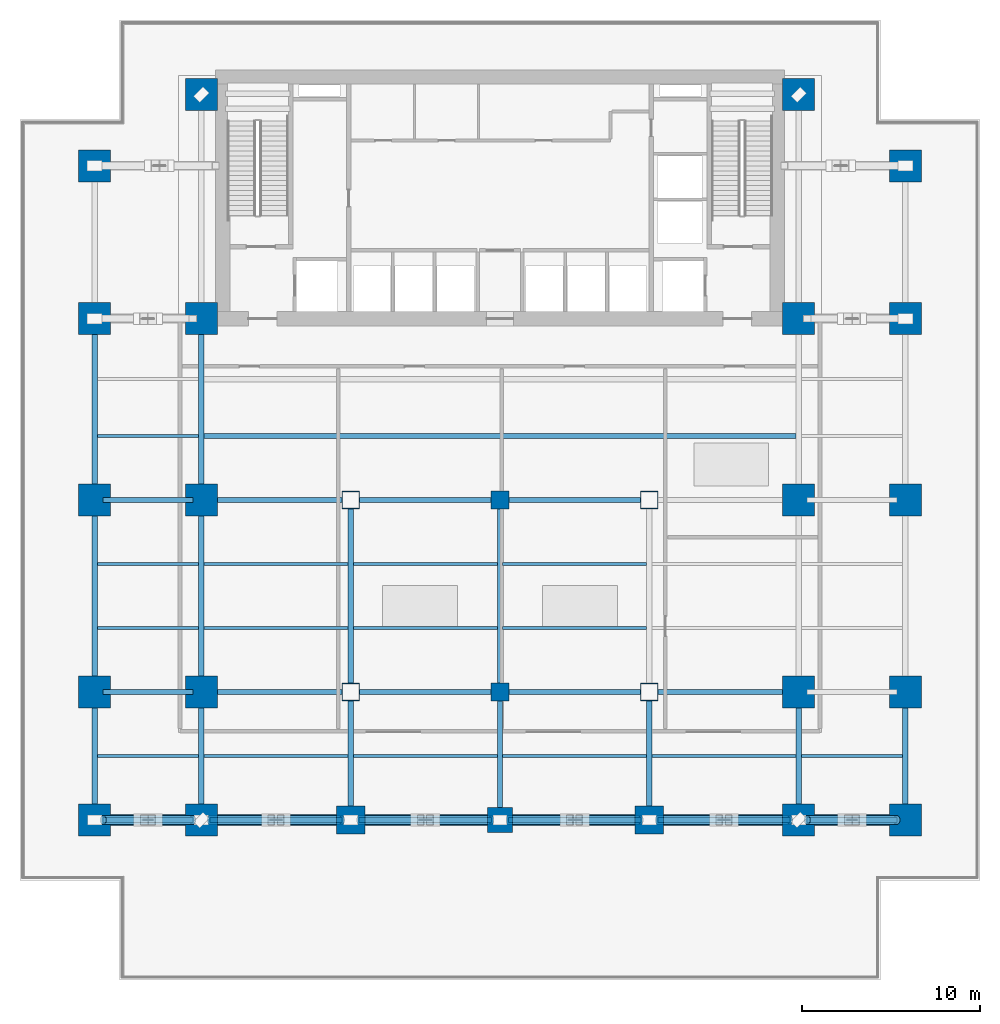
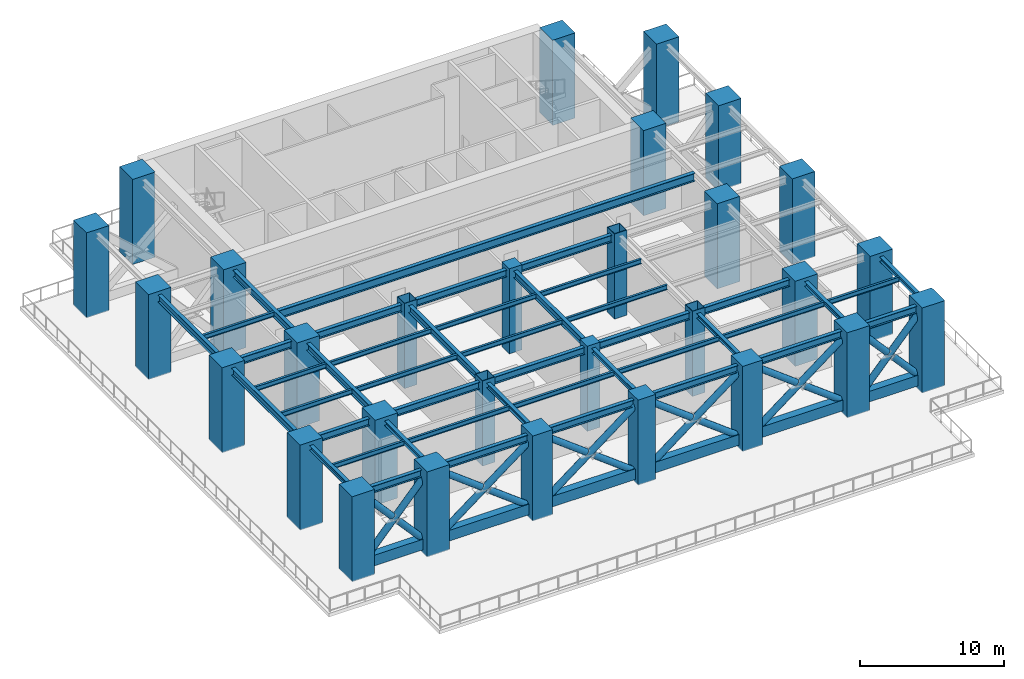
# One storey, part 1 of 10: 50 beams, 29 columns, 18 members.
"""IFC4 building model written with IfcOpenShell, lengths in metres."""

from ifc_helpers import new_model, si_unit, direction, frame, origin, origin_2d, place, context, subcontext, project, spatial, rectangle, hollow_rectangle, hollow_circle, i_section, extrude, source, transform, mapped, material, material_profile, profile_set, type_object, element, save


model = new_model("IFC4")

# Units and contexts
model_context = context("Model", 3, precision=1e-05, world=origin(), true_north=direction((0.0, 1.0)))
body_context = subcontext(model_context, "Body", "Model", "MODEL_VIEW")
ifc_project = project(units=[si_unit("LENGTHUNIT", "METRE"), si_unit("AREAUNIT", "SQUARE_METRE"), si_unit("VOLUMEUNIT", "CUBIC_METRE"), si_unit("PLANEANGLEUNIT", "RADIAN"), si_unit("MASSUNIT", "GRAM", prefix="KILO")], contexts=[model_context])

# Site, building, storey
site_placement = place(None, origin())
site = spatial("IfcSite", under=ifc_project, at=site_placement, CompositionType="ELEMENT")
building_placement = place(site_placement, origin())
building = spatial("IfcBuilding", under=site, at=building_placement, Name="Sumidabori Civic Tower", CompositionType="ELEMENT")
storey_placement = place(building_placement, frame((0.0, 0.0, 70.39990234375)))
storey = spatial("IfcBuildingStorey", under=building, at=storey_placement, Name="L18", CompositionType="ELEMENT", Elevation=70.39990234375)

# Columns
ifc_material_1 = material(Name="Concrete C60/75", Category="concrete")
ifc_material_profile_1 = material_profile(ifc_material_1, rectangle(XDim=1.800048828125, YDim=1.800048828125, at=origin_2d()), Name="RC 1800x1800")
ifc_profile_set_1 = profile_set([ifc_material_profile_1], Name="Concrete C60/75")
column_type_1 = type_object("IfcColumnType", Name="CL-MEGA-1800", PredefinedType="COLUMN", material=ifc_profile_set_1)
shared_shape_1 = source(origin(), body_context, "Body", "SweptSolid", [
    extrude(rectangle(XDim=1.800048828125, YDim=1.800048828125, at=origin_2d()), origin(), (0.0, 0.0, 1.0), 7.2001953125),
])
for number, where, z_axis, x_axis, name in (
    (1, (-16.800048828125, -18.0, 0.0), (0.0, 0.0, 1.0), (1.0, 0.0, 0.0), "Column MC-W16-Y18S L18"),
    (2, (-16.800048828125, -10.800048828125, 0.0), (0.0, 0.0, 1.0), (1.0, 0.0, 0.0), "Column MC-W16-Y11S L18"),
    (3, (-16.800048828125, 0.0, 0.0), (0.0, 0.0, 1.0), (1.0, 0.0, 0.0), "Column MC-W16-Y00 L18"),
    (4, (-16.800048828125, 10.199951171875, 0.0), (0.0, 0.0, 1.0), (1.0, 0.0, 0.0), "Column MC-W16-Y10N L18"),
    (5, (-16.800048828125, 22.800048828125, 0.0), (0.0, 0.0, 1.0), (1.0, 0.0, 0.0), "Column MC-W16-Y23N L18"),
    (6, (16.800048828125, -18.0, 0.0), (0.0, 0.0, 1.0), (1.0, 0.0, 0.0), "Column MC-E16-Y18S L18"),
    (7, (16.800048828125, -10.800048828125, 0.0), (0.0, 0.0, 1.0), (1.0, 0.0, 0.0), "Column MC-E16-Y11S L18"),
    (8, (16.800048828125, 0.0, 0.0), (0.0, 0.0, 1.0), (1.0, 0.0, 0.0), "Column MC-E16-Y00 L18"),
    (9, (16.800048828125, 10.199951171875, 0.0), (0.0, 0.0, 1.0), (1.0, 0.0, 0.0), "Column MC-E16-Y10N L18"),
    (10, (16.800048828125, 22.800048828125, 0.0), (0.0, 0.0, 1.0), (1.0, 0.0, 0.0), "Column MC-E16-Y23N L18"),
    (11, (-22.800048828125, -18.0, 0.0), (0.0, 0.0, 1.0), (1.0, 0.0, 0.0), "Column MC-W23-Y18S L18"),
    (12, (-22.800048828125, -10.800048828125, 0.0), (0.0, 0.0, 1.0), (1.0, 0.0, 0.0), "Column MC-W23-Y11S L18"),
    (13, (-22.800048828125, 0.0, 0.0), (0.0, 0.0, 1.0), (1.0, 0.0, 0.0), "Column MC-W23-Y00 L18"),
    (14, (-22.800048828125, 10.199951171875, 0.0), (0.0, 0.0, 1.0), (1.0, 0.0, 0.0), "Column MC-W23-Y10N L18"),
    (15, (-22.800048828125, 18.800048828125, 0.0), (0.0, 0.0, 1.0), (1.0, 0.0, 0.0), "Column MC-W23-Y19N L18"),
    (16, (22.800048828125, -18.0, 0.0), (0.0, 0.0, 1.0), (1.0, 0.0, 0.0), "Column MC-E23-Y18S L18"),
    (17, (22.800048828125, -10.800048828125, 0.0), (0.0, 0.0, 1.0), (1.0, 0.0, 0.0), "Column MC-E23-Y11S L18"),
    (18, (22.800048828125, 0.0, 0.0), (0.0, 0.0, 1.0), (1.0, 0.0, 0.0), "Column MC-E23-Y00 L18"),
    (19, (22.800048828125, 10.199951171875, 0.0), (0.0, 0.0, 1.0), (1.0, 0.0, 0.0), "Column MC-E23-Y10N L18"),
    (20, (22.800048828125, 18.800048828125, 0.0), (0.0, 0.0, 1.0), (1.0, 0.0, 0.0), "Column MC-E23-Y19N L18"),
):
    element("IfcColumn", number, at=place(storey_placement, frame(where, z_axis=z_axis, x_axis=x_axis)), inside=storey, type_object=column_type_1, Name=name, PredefinedType="COLUMN", context=body_context, shape_type="MappedRepresentation", body=[
        mapped(shared_shape_1, transform((0.0, 0.0, 0.0), x_axis=(1.0, 0.0, 0.0), y_axis=(0.0, 1.0, 0.0), z_axis=(0.0, 0.0, 1.0), scale=1.0)),
    ])
ifc_material_profile_2 = material_profile(ifc_material_1, rectangle(XDim=1.60009765625, YDim=1.60009765625, at=origin_2d()), Name="RC 1600x1600")
ifc_profile_set_2 = profile_set([ifc_material_profile_2], Name="Concrete C60/75")
column_type_2 = type_object("IfcColumnType", Name="CL-MEGA-1600", PredefinedType="COLUMN", material=ifc_profile_set_2)
shared_shape_2 = source(origin(), body_context, "Body", "SweptSolid", [
    extrude(rectangle(XDim=1.60009765625, YDim=1.60009765625, at=origin_2d()), origin(), (0.0, 0.0, 1.0), 7.2001953125),
])
for number, where, z_axis, x_axis, name in (
    (21, (-8.39990234375, -18.0, 0.0), (0.0, 0.0, 1.0), (1.0, 0.0, 0.0), "Column MC-W08-Y18S L18"),
    (22, (8.39990234375, -18.0, 0.0), (0.0, 0.0, 1.0), (1.0, 0.0, 0.0), "Column MC-E08-Y18S L18"),
):
    element("IfcColumn", number, at=place(storey_placement, frame(where, z_axis=z_axis, x_axis=x_axis)), inside=storey, type_object=column_type_2, Name=name, PredefinedType="COLUMN", context=body_context, shape_type="MappedRepresentation", body=[
        mapped(shared_shape_2, transform((0.0, 0.0, 0.0), x_axis=(1.0, 0.0, 0.0), y_axis=(0.0, 1.0, 0.0), z_axis=(0.0, 0.0, 1.0), scale=1.0)),
    ])
ifc_material_2 = material(Name="Steel SM570", Category="steel")
ifc_material_profile_3 = material_profile(ifc_material_2, hollow_rectangle(XDim=1.0, YDim=1.0, WallThickness=0.044921875, at=origin_2d()), Name="SHS 1000x1000x45")
ifc_profile_set_3 = profile_set([ifc_material_profile_3], Name="Steel SM570")
column_type_3 = type_object("IfcColumnType", Name="CL-PORTAL-SHS1000", PredefinedType="COLUMN", material=ifc_profile_set_3)
shared_shape_3 = source(origin(), body_context, "Body", "SweptSolid", [
    extrude(hollow_rectangle(XDim=1.0, YDim=1.0, WallThickness=0.044921875, at=origin_2d()), origin(), (0.0, 0.0, 1.0), 7.2001953125),
])
for number, where, z_axis, x_axis, name in (
    (23, (-8.39990234375, 0.0, 0.0), (0.0, 0.0, 1.0), (1.0, 0.0, 0.0), "Column MC-W08-Y00 L18"),
    (24, (-8.39990234375, -10.800048828125, 0.0), (0.0, 0.0, 1.0), (1.0, 0.0, 0.0), "Column MC-W08-Y11S L18"),
    (25, (8.39990234375, 0.0, 0.0), (0.0, 0.0, 1.0), (1.0, 0.0, 0.0), "Column MC-E08-Y00 L18"),
    (26, (8.39990234375, -10.800048828125, 0.0), (0.0, 0.0, 1.0), (1.0, 0.0, 0.0), "Column MC-E08-Y11S L18"),
):
    element("IfcColumn", number, at=place(storey_placement, frame(where, z_axis=z_axis, x_axis=x_axis)), inside=storey, type_object=column_type_3, Name=name, PredefinedType="COLUMN", context=body_context, shape_type="MappedRepresentation", body=[
        mapped(shared_shape_3, transform((0.0, 0.0, 0.0), x_axis=(1.0, 0.0, 0.0), y_axis=(0.0, 1.0, 0.0), z_axis=(0.0, 0.0, 1.0), scale=1.0)),
    ])
ifc_material_profile_4 = material_profile(ifc_material_1, rectangle(XDim=1.39990234375, YDim=1.39990234375, at=origin_2d()), Name="RC 1400x1400")
ifc_profile_set_4 = profile_set([ifc_material_profile_4], Name="Concrete C60/75")
column_type_4 = type_object("IfcColumnType", Name="CL-MEGA-1400", PredefinedType="COLUMN", material=ifc_profile_set_4)
shared_shape_4 = source(origin(), body_context, "Body", "SweptSolid", [
    extrude(rectangle(XDim=1.39990234375, YDim=1.39990234375, at=origin_2d()), origin(), (0.0, 0.0, 1.0), 7.2001953125),
])
column_placement = place(storey_placement, frame((0.0, -18.0, 0.0), z_axis=(0.0, 0.0, 1.0), x_axis=(1.0, 0.0, 0.0)))
element("IfcColumn", 27, at=column_placement, inside=storey, type_object=column_type_4, Name="Column MC-C00-Y18S L18", PredefinedType="COLUMN", context=body_context, shape_type="MappedRepresentation", body=[
    mapped(shared_shape_4, transform((0.0, 0.0, 0.0), x_axis=(1.0, 0.0, 0.0), y_axis=(0.0, 1.0, 0.0), z_axis=(0.0, 0.0, 1.0), scale=1.0)),
])
ifc_material_3 = material(Name="Concrete C50/60", Category="concrete")
ifc_material_profile_5 = material_profile(ifc_material_3, rectangle(XDim=1.0, YDim=1.0, at=origin_2d()), Name="RC 1000x1000")
ifc_profile_set_5 = profile_set([ifc_material_profile_5], Name="Concrete C50/60")
column_type_5 = type_object("IfcColumnType", Name="CL-INT-1000", PredefinedType="COLUMN", material=ifc_profile_set_5)
shared_shape_5 = source(origin(), body_context, "Body", "SweptSolid", [
    extrude(rectangle(XDim=1.0, YDim=1.0, at=origin_2d()), origin(), (0.0, 0.0, 1.0), 7.2001953125),
])
for number, where, z_axis, x_axis, name in (
    (28, (0.0, -10.800048828125, 0.0), (0.0, 0.0, 1.0), (1.0, 0.0, 0.0), "Column MC-C00-Y11S L18"),
    (29, (0.0, 0.0, 0.0), (0.0, 0.0, 1.0), (1.0, 0.0, 0.0), "Column MC-C00-Y00 L18"),
):
    element("IfcColumn", number, at=place(storey_placement, frame(where, z_axis=z_axis, x_axis=x_axis)), inside=storey, type_object=column_type_5, Name=name, PredefinedType="COLUMN", context=body_context, shape_type="MappedRepresentation", body=[
        mapped(shared_shape_5, transform((0.0, 0.0, 0.0), x_axis=(1.0, 0.0, 0.0), y_axis=(0.0, 1.0, 0.0), z_axis=(0.0, 0.0, 1.0), scale=1.0)),
    ])

# Beams
ifc_material_4 = material(Name="Steel SN490", Category="steel")
ifc_material_profile_6 = material_profile(ifc_material_4, i_section(OverallWidth=0.300048828125, OverallDepth=0.60009765625, WebThickness=0.015380859375, FlangeThickness=0.030029296875, at=origin_2d()), Name="HE 600 B")
ifc_profile_set_6 = profile_set([ifc_material_profile_6], Name="Steel SN490")
beam_type_1 = type_object("IfcBeamType", Name="BM-GIRD-600", PredefinedType="BEAM", material=ifc_profile_set_6)
shared_shape_6 = source(origin(), body_context, "Body", "SweptSolid", [
    extrude(i_section(OverallWidth=0.300048828125, OverallDepth=0.60009765625, WebThickness=0.015380859375, FlangeThickness=0.030029296875, at=origin_2d()), origin(), (0.0, 0.0, 1.0), 5.0400390625),
])
for number, where, z_axis, x_axis, name in (
    (30, (-22.320068359375, -18.0, 6.60009765625), (1.0, 0.0, 0.0), (0.0, 1.0, 0.0), "Primary Girder L18 GX-01"),
    (31, (17.280029296875, -18.0, 6.60009765625), (1.0, 0.0, 0.0), (0.0, 1.0, 0.0), "Primary Girder L18 GX-06"),
    (32, (-22.320068359375, -10.800048828125, 6.60009765625), (1.0, 0.0, 0.0), (0.0, 1.0, 0.0), "Primary Girder L18 GX-07"),
    (33, (-22.320068359375, 0.0, 6.60009765625), (1.0, 0.0, 0.0), (0.0, 1.0, 0.0), "Primary Girder L18 GX-13"),
):
    element("IfcBeam", number, at=place(storey_placement, frame(where, z_axis=z_axis, x_axis=x_axis)), inside=storey, type_object=beam_type_1, Name=name, PredefinedType="BEAM", context=body_context, shape_type="MappedRepresentation", body=[
        mapped(shared_shape_6, transform((0.0, 0.0, 0.0), x_axis=(1.0, 0.0, 0.0), y_axis=(0.0, 1.0, 0.0), z_axis=(0.0, 0.0, 1.0), scale=1.0)),
    ])
shared_shape_7 = source(origin(), body_context, "Body", "SweptSolid", [
    extrude(i_section(OverallWidth=0.300048828125, OverallDepth=0.60009765625, WebThickness=0.015380859375, FlangeThickness=0.030029296875, at=origin_2d()), origin(), (0.0, 0.0, 1.0), 7.440185546875),
])
for number, where, z_axis, x_axis, name in (
    (34, (-16.320068359375, -18.0, 6.60009765625), (1.0, 0.0, 0.0), (0.0, 1.0, 0.0), "Primary Girder L18 GX-02"),
    (35, (8.8798828125, -18.0, 6.60009765625), (1.0, 0.0, 0.0), (0.0, 1.0, 0.0), "Primary Girder L18 GX-05"),
    (36, (-16.320068359375, -10.800048828125, 6.60009765625), (1.0, 0.0, 0.0), (0.0, 1.0, 0.0), "Primary Girder L18 GX-08"),
    (37, (8.8798828125, -10.800048828125, 6.60009765625), (1.0, 0.0, 0.0), (0.0, 1.0, 0.0), "Primary Girder L18 GX-11"),
    (38, (-16.320068359375, 0.0, 6.60009765625), (1.0, 0.0, 0.0), (0.0, 1.0, 0.0), "Primary Girder L18 GX-14"),
):
    element("IfcBeam", number, at=place(storey_placement, frame(where, z_axis=z_axis, x_axis=x_axis)), inside=storey, type_object=beam_type_1, Name=name, PredefinedType="BEAM", context=body_context, shape_type="MappedRepresentation", body=[
        mapped(shared_shape_7, transform((0.0, 0.0, 0.0), x_axis=(1.0, 0.0, 0.0), y_axis=(0.0, 1.0, 0.0), z_axis=(0.0, 0.0, 1.0), scale=1.0)),
    ])
shared_shape_8 = source(origin(), body_context, "Body", "SweptSolid", [
    extrude(i_section(OverallWidth=0.300048828125, OverallDepth=0.60009765625, WebThickness=0.015380859375, FlangeThickness=0.030029296875, at=origin_2d()), origin(), (0.0, 0.0, 1.0), 7.43994140625),
])
for number, where, z_axis, x_axis, name in (
    (39, (-7.919921875, -18.0, 6.60009765625), (1.0, 0.0, 0.0), (0.0, 1.0, 0.0), "Primary Girder L18 GX-03"),
    (40, (0.47998046875, -18.0, 6.60009765625), (1.0, 0.0, 0.0), (0.0, 1.0, 0.0), "Primary Girder L18 GX-04"),
    (41, (-7.919921875, -10.800048828125, 6.60009765625), (1.0, 0.0, 0.0), (0.0, 1.0, 0.0), "Primary Girder L18 GX-09"),
    (42, (0.47998046875, -10.800048828125, 6.60009765625), (1.0, 0.0, 0.0), (0.0, 1.0, 0.0), "Primary Girder L18 GX-10"),
    (43, (-7.919921875, 0.0, 6.60009765625), (1.0, 0.0, 0.0), (0.0, 1.0, 0.0), "Primary Girder L18 GX-15"),
    (44, (0.47998046875, 0.0, 6.60009765625), (1.0, 0.0, 0.0), (0.0, 1.0, 0.0), "Primary Girder L18 GX-16"),
):
    element("IfcBeam", number, at=place(storey_placement, frame(where, z_axis=z_axis, x_axis=x_axis)), inside=storey, type_object=beam_type_1, Name=name, PredefinedType="BEAM", context=body_context, shape_type="MappedRepresentation", body=[
        mapped(shared_shape_8, transform((0.0, 0.0, 0.0), x_axis=(1.0, 0.0, 0.0), y_axis=(0.0, 1.0, 0.0), z_axis=(0.0, 0.0, 1.0), scale=1.0)),
    ])
ifc_material_profile_7 = material_profile(ifc_material_4, i_section(OverallWidth=0.300048828125, OverallDepth=0.39990234375, WebThickness=0.013427734375, FlangeThickness=0.02392578125, at=origin_2d()), Name="HE 400 B")
ifc_profile_set_7 = profile_set([ifc_material_profile_7], Name="Steel SN490")
beam_type_2 = type_object("IfcBeamType", Name="BM-GIRD-400", PredefinedType="BEAM", material=ifc_profile_set_7)
shared_shape_9 = source(origin(), body_context, "Body", "SweptSolid", [
    extrude(i_section(OverallWidth=0.300048828125, OverallDepth=0.39990234375, WebThickness=0.013427734375, FlangeThickness=0.02392578125, at=origin_2d()), origin(), (0.0, 0.0, 1.0), 6.239990234375),
])
for number, where, z_axis, x_axis, name in (
    (45, (-22.800048828125, -17.52001953125, 6.7001953125), (0.0, 1.0, 0.0), (-1.0, 0.0, 0.0), "Primary Girder L18 GY-21"),
    (46, (-16.800048828125, -17.52001953125, 6.7001953125), (0.0, 1.0, 0.0), (-1.0, 0.0, 0.0), "Primary Girder L18 GY-25"),
    (47, (-8.39990234375, -17.52001953125, 6.7001953125), (0.0, 1.0, 0.0), (-1.0, 0.0, 0.0), "Primary Girder L18 GY-29"),
    (48, (0.0, -17.52001953125, 6.7001953125), (0.0, 1.0, 0.0), (-1.0, 0.0, 0.0), "Primary Girder L18 GY-31"),
    (49, (8.39990234375, -17.52001953125, 6.7001953125), (0.0, 1.0, 0.0), (-1.0, 0.0, 0.0), "Primary Girder L18 GY-33"),
    (50, (16.800048828125, -17.52001953125, 6.7001953125), (0.0, 1.0, 0.0), (-1.0, 0.0, 0.0), "Primary Girder L18 GY-35"),
    (51, (22.800048828125, -17.52001953125, 6.7001953125), (0.0, 1.0, 0.0), (-1.0, 0.0, 0.0), "Primary Girder L18 GY-39"),
):
    element("IfcBeam", number, at=place(storey_placement, frame(where, z_axis=z_axis, x_axis=x_axis)), inside=storey, type_object=beam_type_2, Name=name, PredefinedType="BEAM", context=body_context, shape_type="MappedRepresentation", body=[
        mapped(shared_shape_9, transform((0.0, 0.0, 0.0), x_axis=(1.0, 0.0, 0.0), y_axis=(0.0, 1.0, 0.0), z_axis=(0.0, 0.0, 1.0), scale=1.0)),
    ])
shared_shape_10 = source(origin(), body_context, "Body", "SweptSolid", [
    extrude(i_section(OverallWidth=0.300048828125, OverallDepth=0.60009765625, WebThickness=0.015380859375, FlangeThickness=0.030029296875, at=origin_2d()), origin(), (0.0, 0.0, 1.0), 9.840087890625),
])
for number, where, z_axis, x_axis, name in (
    (52, (-22.800048828125, -10.320068359375, 6.60009765625), (0.0, 1.0, 0.0), (-1.0, 0.0, 0.0), "Primary Girder L18 GY-22"),
    (53, (-16.800048828125, -10.320068359375, 6.60009765625), (0.0, 1.0, 0.0), (-1.0, 0.0, 0.0), "Primary Girder L18 GY-26"),
    (54, (-8.39990234375, -10.320068359375, 6.60009765625), (0.0, 1.0, 0.0), (-1.0, 0.0, 0.0), "Primary Girder L18 GY-30"),
    (55, (0.0, -10.320068359375, 6.60009765625), (0.0, 1.0, 0.0), (-1.0, 0.0, 0.0), "Primary Girder L18 GY-32"),
):
    element("IfcBeam", number, at=place(storey_placement, frame(where, z_axis=z_axis, x_axis=x_axis)), inside=storey, type_object=beam_type_1, Name=name, PredefinedType="BEAM", context=body_context, shape_type="MappedRepresentation", body=[
        mapped(shared_shape_10, transform((0.0, 0.0, 0.0), x_axis=(1.0, 0.0, 0.0), y_axis=(0.0, 1.0, 0.0), z_axis=(0.0, 0.0, 1.0), scale=1.0)),
    ])
shared_shape_11 = source(origin(), body_context, "Body", "SweptSolid", [
    extrude(i_section(OverallWidth=0.300048828125, OverallDepth=0.60009765625, WebThickness=0.015380859375, FlangeThickness=0.030029296875, at=origin_2d()), origin(), (0.0, 0.0, 1.0), 9.239990234375),
])
for number, where, z_axis, x_axis, name in (
    (56, (-22.800048828125, 0.47998046875, 6.60009765625), (0.0, 1.0, 0.0), (-1.0, 0.0, 0.0), "Primary Girder L18 GY-23"),
    (57, (-16.800048828125, 0.47998046875, 6.60009765625), (0.0, 1.0, 0.0), (-1.0, 0.0, 0.0), "Primary Girder L18 GY-27"),
):
    element("IfcBeam", number, at=place(storey_placement, frame(where, z_axis=z_axis, x_axis=x_axis)), inside=storey, type_object=beam_type_1, Name=name, PredefinedType="BEAM", context=body_context, shape_type="MappedRepresentation", body=[
        mapped(shared_shape_11, transform((0.0, 0.0, 0.0), x_axis=(1.0, 0.0, 0.0), y_axis=(0.0, 1.0, 0.0), z_axis=(0.0, 0.0, 1.0), scale=1.0)),
    ])
ifc_material_profile_8 = material_profile(ifc_material_4, i_section(OverallWidth=0.300048828125, OverallDepth=0.699951171875, WebThickness=0.01708984375, FlangeThickness=0.031982421875, at=origin_2d()), Name="HE 700 B")
ifc_profile_set_8 = profile_set([ifc_material_profile_8], Name="Steel SN490")
beam_type_3 = type_object("IfcBeamType", Name="BM-GIRD-700", PredefinedType="BEAM", material=ifc_profile_set_8)
shared_shape_12 = source(origin(), body_context, "Body", "SweptSolid", [
    extrude(i_section(OverallWidth=0.300048828125, OverallDepth=0.699951171875, WebThickness=0.01708984375, FlangeThickness=0.031982421875, at=origin_2d()), origin(), (0.0, 0.0, 1.0), 33.2998046875),
])
beam_placement = place(storey_placement, frame((-16.64990234375, 3.60009765625, 6.550048828125), z_axis=(1.0, 0.0, 0.0), x_axis=(0.0, 1.0, 0.0)))
element("IfcBeam", 58, at=beam_placement, inside=storey, type_object=beam_type_3, Name="North Bay Floor Beam L18 JSTN-53", PredefinedType="BEAM", context=body_context, shape_type="MappedRepresentation", body=[
    mapped(shared_shape_12, transform((0.0, 0.0, 0.0), x_axis=(1.0, 0.0, 0.0), y_axis=(0.0, 1.0, 0.0), z_axis=(0.0, 0.0, 1.0), scale=1.0)),
])
ifc_material_profile_9 = material_profile(ifc_material_4, i_section(OverallWidth=0.179931640625, OverallDepth=0.39990234375, WebThickness=0.008544921875, FlangeThickness=0.013427734375, at=origin_2d()), Name="IPE 400")
ifc_profile_set_9 = profile_set([ifc_material_profile_9], Name="Steel SN490")
beam_type_4 = type_object("IfcBeamType", Name="BM-JST-400", PredefinedType="JOIST", material=ifc_profile_set_9)
shared_shape_13 = source(origin(), body_context, "Body", "SweptSolid", [
    extrude(i_section(OverallWidth=0.179931640625, OverallDepth=0.39990234375, WebThickness=0.008544921875, FlangeThickness=0.013427734375, at=origin_2d()), origin(), (0.0, 0.0, 1.0), 5.699951171875),
])
for number, where, z_axis, x_axis, name in (
    (59, (-22.64990234375, -7.199951171875, 6.7001953125), (1.0, 0.0, 0.0), (0.0, 1.0, 0.0), "Outer Bay Floor Joist L18 JSTO-43"),
    (60, (-22.64990234375, -3.60009765625, 6.7001953125), (1.0, 0.0, 0.0), (0.0, 1.0, 0.0), "Outer Bay Floor Joist L18 JSTO-45"),
    (61, (-22.64990234375, 3.60009765625, 6.7001953125), (1.0, 0.0, 0.0), (0.0, 1.0, 0.0), "Outer Bay Floor Joist L18 JSTO-47"),
    (62, (-22.64990234375, -14.39990234375, 6.7001953125), (1.0, 0.0, 0.0), (0.0, 1.0, 0.0), "Outer Bay Floor Joist L18 JSTO-51"),
    (63, (16.949951171875, -14.39990234375, 6.7001953125), (1.0, 0.0, 0.0), (0.0, 1.0, 0.0), "Outer Bay Floor Joist L18 JSTO-52"),
):
    element("IfcBeam", number, at=place(storey_placement, frame(where, z_axis=z_axis, x_axis=x_axis)), inside=storey, type_object=beam_type_4, Name=name, PredefinedType="JOIST", context=body_context, shape_type="MappedRepresentation", body=[
        mapped(shared_shape_13, transform((0.0, 0.0, 0.0), x_axis=(1.0, 0.0, 0.0), y_axis=(0.0, 1.0, 0.0), z_axis=(0.0, 0.0, 1.0), scale=1.0)),
    ])
shared_shape_14 = source(origin(), body_context, "Body", "SweptSolid", [
    extrude(i_section(OverallWidth=0.179931640625, OverallDepth=0.39990234375, WebThickness=0.008544921875, FlangeThickness=0.013427734375, at=origin_2d()), origin(), (0.0, 0.0, 1.0), 8.099853515625),
])
for number, where, z_axis, x_axis, name in (
    (64, (-16.64990234375, -14.39990234375, 6.7001953125), (1.0, 0.0, 0.0), (0.0, 1.0, 0.0), "South Bay Floor Joist L18 JSTS-55"),
    (65, (8.550048828125, -14.39990234375, 6.7001953125), (1.0, 0.0, 0.0), (0.0, 1.0, 0.0), "South Bay Floor Joist L18 JSTS-58"),
    (66, (-16.64990234375, -7.199951171875, 6.7001953125), (1.0, 0.0, 0.0), (0.0, 1.0, 0.0), "South Bay Floor Joist L18 JSTS-59"),
    (67, (-16.64990234375, -3.60009765625, 6.7001953125), (1.0, 0.0, 0.0), (0.0, 1.0, 0.0), "South Bay Floor Joist L18 JSTS-63"),
):
    element("IfcBeam", number, at=place(storey_placement, frame(where, z_axis=z_axis, x_axis=x_axis)), inside=storey, type_object=beam_type_4, Name=name, PredefinedType="JOIST", context=body_context, shape_type="MappedRepresentation", body=[
        mapped(shared_shape_14, transform((0.0, 0.0, 0.0), x_axis=(1.0, 0.0, 0.0), y_axis=(0.0, 1.0, 0.0), z_axis=(0.0, 0.0, 1.0), scale=1.0)),
    ])
shared_shape_15 = source(origin(), body_context, "Body", "SweptSolid", [
    extrude(i_section(OverallWidth=0.179931640625, OverallDepth=0.39990234375, WebThickness=0.008544921875, FlangeThickness=0.013427734375, at=origin_2d()), origin(), (0.0, 0.0, 1.0), 8.10009765625),
])
for number, where, z_axis, x_axis, name in (
    (68, (-8.25, -14.39990234375, 6.7001953125), (1.0, 0.0, 0.0), (0.0, 1.0, 0.0), "South Bay Floor Joist L18 JSTS-56"),
    (69, (0.14990234375, -14.39990234375, 6.7001953125), (1.0, 0.0, 0.0), (0.0, 1.0, 0.0), "South Bay Floor Joist L18 JSTS-57"),
    (70, (-8.25, -7.199951171875, 6.7001953125), (1.0, 0.0, 0.0), (0.0, 1.0, 0.0), "South Bay Floor Joist L18 JSTS-60"),
    (71, (0.14990234375, -7.199951171875, 6.7001953125), (1.0, 0.0, 0.0), (0.0, 1.0, 0.0), "South Bay Floor Joist L18 JSTS-61"),
    (72, (-8.25, -3.60009765625, 6.7001953125), (1.0, 0.0, 0.0), (0.0, 1.0, 0.0), "South Bay Floor Joist L18 JSTS-64"),
    (73, (0.14990234375, -3.60009765625, 6.7001953125), (1.0, 0.0, 0.0), (0.0, 1.0, 0.0), "South Bay Floor Joist L18 JSTS-65"),
):
    element("IfcBeam", number, at=place(storey_placement, frame(where, z_axis=z_axis, x_axis=x_axis)), inside=storey, type_object=beam_type_4, Name=name, PredefinedType="JOIST", context=body_context, shape_type="MappedRepresentation", body=[
        mapped(shared_shape_15, transform((0.0, 0.0, 0.0), x_axis=(1.0, 0.0, 0.0), y_axis=(0.0, 1.0, 0.0), z_axis=(0.0, 0.0, 1.0), scale=1.0)),
    ])
ifc_material_profile_10 = material_profile(ifc_material_4, hollow_rectangle(XDim=0.60009765625, YDim=0.89990234375, WallThickness=0.0400390625, at=origin_2d()), Name="RHS 900x600x40")
ifc_profile_set_10 = profile_set([ifc_material_profile_10], Name="Steel SN490")
beam_type_5 = type_object("IfcBeamType", Name="BM-BELT-CHORD", PredefinedType="BEAM", material=ifc_profile_set_10)
shared_shape_16 = source(origin(), body_context, "Body", "SweptSolid", [
    extrude(hollow_rectangle(XDim=0.60009765625, YDim=0.89990234375, WallThickness=0.0400390625, at=origin_2d()), origin(), (0.0, 0.0, 1.0), 5.0400390625),
])
for number, where, z_axis, x_axis, name in (
    (74, (-22.320068359375, -18.0, 0.7001953125), (1.0, 0.0, 0.0), (0.0, 1.0, 0.0), "Belt Truss Bottom Chord L18-1"),
    (75, (17.280029296875, -18.0, 0.7001953125), (1.0, 0.0, 0.0), (0.0, 1.0, 0.0), "Belt Truss Bottom Chord L18-6"),
):
    element("IfcBeam", number, at=place(storey_placement, frame(where, z_axis=z_axis, x_axis=x_axis)), inside=storey, type_object=beam_type_5, Name=name, PredefinedType="BEAM", context=body_context, shape_type="MappedRepresentation", body=[
        mapped(shared_shape_16, transform((0.0, 0.0, 0.0), x_axis=(1.0, 0.0, 0.0), y_axis=(0.0, 1.0, 0.0), z_axis=(0.0, 0.0, 1.0), scale=1.0)),
    ])

# Members
ifc_material_profile_11 = material_profile(ifc_material_4, hollow_circle(Radius=0.25390625, WallThickness=0.02490234375, at=origin_2d()), Name="CHS 508x25")
ifc_profile_set_11 = profile_set([ifc_material_profile_11], Name="Steel SN490")
member_type = type_object("IfcMemberType", Name="MB-BT-DIAG", PredefinedType="BRACE", material=ifc_profile_set_11)
shared_shape_17 = source(origin(), body_context, "Body", "SweptSolid", [
    extrude(hollow_circle(Radius=0.25390625, WallThickness=0.02490234375, at=origin_2d()), origin(), (0.0, 0.0, 1.0), 7.5712890625),
])
for number, where, z_axis, x_axis, name in (
    (76, (-22.320068359375, -18.0, 0.7001953125), (0.665683769998, 0.0, 0.746233956854), (0.0, 1.0, 0.0), "Belt Truss Diagonal L18-D1-1"),
    (77, (17.280029296875, -18.0, 0.7001953125), (0.665683769998, 0.0, 0.746233956854), (0.0, 1.0, 0.0), "Belt Truss Diagonal L18-D1-6"),
):
    element("IfcMember", number, at=place(storey_placement, frame(where, z_axis=z_axis, x_axis=x_axis)), inside=storey, type_object=member_type, Name=name, PredefinedType="BRACE", context=body_context, shape_type="MappedRepresentation", body=[
        mapped(shared_shape_17, transform((0.0, 0.0, 0.0), x_axis=(1.0, 0.0, 0.0), y_axis=(0.0, 1.0, 0.0), z_axis=(0.0, 0.0, 1.0), scale=1.0)),
    ])
shared_shape_18 = source(origin(), body_context, "Body", "SweptSolid", [
    extrude(hollow_circle(Radius=0.25390625, WallThickness=0.02490234375, at=origin_2d()), origin(), (0.0, 0.0, 1.0), 3.48876953125),
])
for number, where, z_axis, x_axis, name in (
    (78, (-22.320068359375, -18.0, 6.35009765625), (0.665687524963, 0.0, -0.746230607191), (0.0, 1.0, 0.0), "Belt Truss Diagonal L18-D2-1 Lower Segment"),
    (79, (-19.602294921875, -18.0, 3.3037109375), (0.665648555055, 0.0, -0.746265369124), (0.0, 1.0, 0.0), "Belt Truss Diagonal L18-D2-1 Upper Segment"),
    (80, (17.280029296875, -18.0, 6.35009765625), (0.665648555055, 0.0, -0.746265369124), (0.0, 1.0, 0.0), "Belt Truss Diagonal L18-D2-6 Lower Segment"),
    (81, (19.99755859375, -18.0, 3.3037109375), (0.665687524963, 0.0, -0.746230607191), (0.0, 1.0, 0.0), "Belt Truss Diagonal L18-D2-6 Upper Segment"),
):
    element("IfcMember", number, at=place(storey_placement, frame(where, z_axis=z_axis, x_axis=x_axis)), inside=storey, type_object=member_type, Name=name, PredefinedType="BRACE", context=body_context, shape_type="MappedRepresentation", body=[
        mapped(shared_shape_18, transform((0.0, 0.0, 0.0), x_axis=(1.0, 0.0, 0.0), y_axis=(0.0, 1.0, 0.0), z_axis=(0.0, 0.0, 1.0), scale=1.0)),
    ])

# Beams
shared_shape_19 = source(origin(), body_context, "Body", "SweptSolid", [
    extrude(hollow_rectangle(XDim=0.60009765625, YDim=0.89990234375, WallThickness=0.0400390625, at=origin_2d()), origin(), (0.0, 0.0, 1.0), 7.440185546875),
])
for number, where, z_axis, x_axis, name in (
    (82, (-16.320068359375, -18.0, 0.7001953125), (1.0, 0.0, 0.0), (0.0, 1.0, 0.0), "Belt Truss Bottom Chord L18-2"),
    (83, (8.8798828125, -18.0, 0.7001953125), (1.0, 0.0, 0.0), (0.0, 1.0, 0.0), "Belt Truss Bottom Chord L18-5"),
):
    element("IfcBeam", number, at=place(storey_placement, frame(where, z_axis=z_axis, x_axis=x_axis)), inside=storey, type_object=beam_type_5, Name=name, PredefinedType="BEAM", context=body_context, shape_type="MappedRepresentation", body=[
        mapped(shared_shape_19, transform((0.0, 0.0, 0.0), x_axis=(1.0, 0.0, 0.0), y_axis=(0.0, 1.0, 0.0), z_axis=(0.0, 0.0, 1.0), scale=1.0)),
    ])

# Members
shared_shape_20 = source(origin(), body_context, "Body", "SweptSolid", [
    extrude(hollow_circle(Radius=0.25390625, WallThickness=0.02490234375, at=origin_2d()), origin(), (0.0, 0.0, 1.0), 9.34228515625),
])
for number, where, z_axis, x_axis, name in (
    (84, (-16.320068359375, -18.0, 0.7001953125), (0.796401330472, 0.0, 0.604768485309), (0.0, 1.0, 0.0), "Belt Truss Diagonal L18-D1-2"),
    (85, (8.8798828125, -18.0, 0.7001953125), (0.796401330472, 0.0, 0.604768485309), (0.0, 1.0, 0.0), "Belt Truss Diagonal L18-D1-5"),
):
    element("IfcMember", number, at=place(storey_placement, frame(where, z_axis=z_axis, x_axis=x_axis)), inside=storey, type_object=member_type, Name=name, PredefinedType="BRACE", context=body_context, shape_type="MappedRepresentation", body=[
        mapped(shared_shape_20, transform((0.0, 0.0, 0.0), x_axis=(1.0, 0.0, 0.0), y_axis=(0.0, 1.0, 0.0), z_axis=(0.0, 0.0, 1.0), scale=1.0)),
    ])
shared_shape_21 = source(origin(), body_context, "Body", "SweptSolid", [
    extrude(hollow_circle(Radius=0.25390625, WallThickness=0.02490234375, at=origin_2d()), origin(), (0.0, 0.0, 1.0), 4.32421875),
])
for number, where, z_axis, x_axis, name in (
    (86, (-16.320068359375, -18.0, 6.35009765625), (0.796394952397, 0.0, -0.60477688431), (0.0, 1.0, 0.0), "Belt Truss Diagonal L18-D2-2 Lower Segment"),
    (87, (-12.32373046875, -18.0, 3.315185546875), (0.796422144968, 0.0, -0.604741074348), (0.0, 1.0, 0.0), "Belt Truss Diagonal L18-D2-2 Upper Segment"),
    (88, (-7.919921875, -18.0, 6.35009765625), (0.796374301246, 0.0, -0.604804077628), (0.0, 1.0, 0.0), "Belt Truss Diagonal L18-D2-3 Lower Segment"),
    (89, (0.47998046875, -18.0, 6.35009765625), (0.796374301246, 0.0, -0.604804077628), (0.0, 1.0, 0.0), "Belt Truss Diagonal L18-D2-4 Lower Segment"),
    (90, (8.8798828125, -18.0, 6.35009765625), (0.796394952397, 0.0, -0.60477688431), (0.0, 1.0, 0.0), "Belt Truss Diagonal L18-D2-5 Lower Segment"),
    (91, (12.876220703125, -18.0, 3.315185546875), (0.796422144968, 0.0, -0.604741074348), (0.0, 1.0, 0.0), "Belt Truss Diagonal L18-D2-5 Upper Segment"),
):
    element("IfcMember", number, at=place(storey_placement, frame(where, z_axis=z_axis, x_axis=x_axis)), inside=storey, type_object=member_type, Name=name, PredefinedType="BRACE", context=body_context, shape_type="MappedRepresentation", body=[
        mapped(shared_shape_21, transform((0.0, 0.0, 0.0), x_axis=(1.0, 0.0, 0.0), y_axis=(0.0, 1.0, 0.0), z_axis=(0.0, 0.0, 1.0), scale=1.0)),
    ])

# Beams
shared_shape_22 = source(origin(), body_context, "Body", "SweptSolid", [
    extrude(hollow_rectangle(XDim=0.60009765625, YDim=0.89990234375, WallThickness=0.0400390625, at=origin_2d()), origin(), (0.0, 0.0, 1.0), 7.43994140625),
])
for number, where, z_axis, x_axis, name in (
    (92, (-7.919921875, -18.0, 0.7001953125), (1.0, 0.0, 0.0), (0.0, 1.0, 0.0), "Belt Truss Bottom Chord L18-3"),
    (93, (0.47998046875, -18.0, 0.7001953125), (1.0, 0.0, 0.0), (0.0, 1.0, 0.0), "Belt Truss Bottom Chord L18-4"),
):
    element("IfcBeam", number, at=place(storey_placement, frame(where, z_axis=z_axis, x_axis=x_axis)), inside=storey, type_object=beam_type_5, Name=name, PredefinedType="BEAM", context=body_context, shape_type="MappedRepresentation", body=[
        mapped(shared_shape_22, transform((0.0, 0.0, 0.0), x_axis=(1.0, 0.0, 0.0), y_axis=(0.0, 1.0, 0.0), z_axis=(0.0, 0.0, 1.0), scale=1.0)),
    ])

# Members
shared_shape_23 = source(origin(), body_context, "Body", "SweptSolid", [
    extrude(hollow_circle(Radius=0.25390625, WallThickness=0.02490234375, at=origin_2d()), origin(), (0.0, 0.0, 1.0), 9.342041015625),
])
for number, where, z_axis, x_axis, name in (
    (94, (-7.919921875, -18.0, 0.7001953125), (0.796391772184, 0.0, 0.604781072123), (0.0, 1.0, 0.0), "Belt Truss Diagonal L18-D1-3"),
    (95, (0.47998046875, -18.0, 0.7001953125), (0.796391772184, 0.0, 0.604781072123), (0.0, 1.0, 0.0), "Belt Truss Diagonal L18-D1-4"),
):
    element("IfcMember", number, at=place(storey_placement, frame(where, z_axis=z_axis, x_axis=x_axis)), inside=storey, type_object=member_type, Name=name, PredefinedType="BRACE", context=body_context, shape_type="MappedRepresentation", body=[
        mapped(shared_shape_23, transform((0.0, 0.0, 0.0), x_axis=(1.0, 0.0, 0.0), y_axis=(0.0, 1.0, 0.0), z_axis=(0.0, 0.0, 1.0), scale=1.0)),
    ])
shared_shape_24 = source(origin(), body_context, "Body", "SweptSolid", [
    extrude(hollow_circle(Radius=0.25390625, WallThickness=0.02490234375, at=origin_2d()), origin(), (0.0, 0.0, 1.0), 4.323974609375),
])
for number, where, z_axis, x_axis, name in (
    (96, (-3.923583984375, -18.0, 3.315185546875), (0.796401495557, 0.0, -0.604768267913), (0.0, 1.0, 0.0), "Belt Truss Diagonal L18-D2-3 Upper Segment"),
    (97, (4.476318359375, -18.0, 3.315185546875), (0.796401495557, 0.0, -0.604768267913), (0.0, 1.0, 0.0), "Belt Truss Diagonal L18-D2-4 Upper Segment"),
):
    element("IfcMember", number, at=place(storey_placement, frame(where, z_axis=z_axis, x_axis=x_axis)), inside=storey, type_object=member_type, Name=name, PredefinedType="BRACE", context=body_context, shape_type="MappedRepresentation", body=[
        mapped(shared_shape_24, transform((0.0, 0.0, 0.0), x_axis=(1.0, 0.0, 0.0), y_axis=(0.0, 1.0, 0.0), z_axis=(0.0, 0.0, 1.0), scale=1.0)),
    ])

save(model, "model.ifc")
